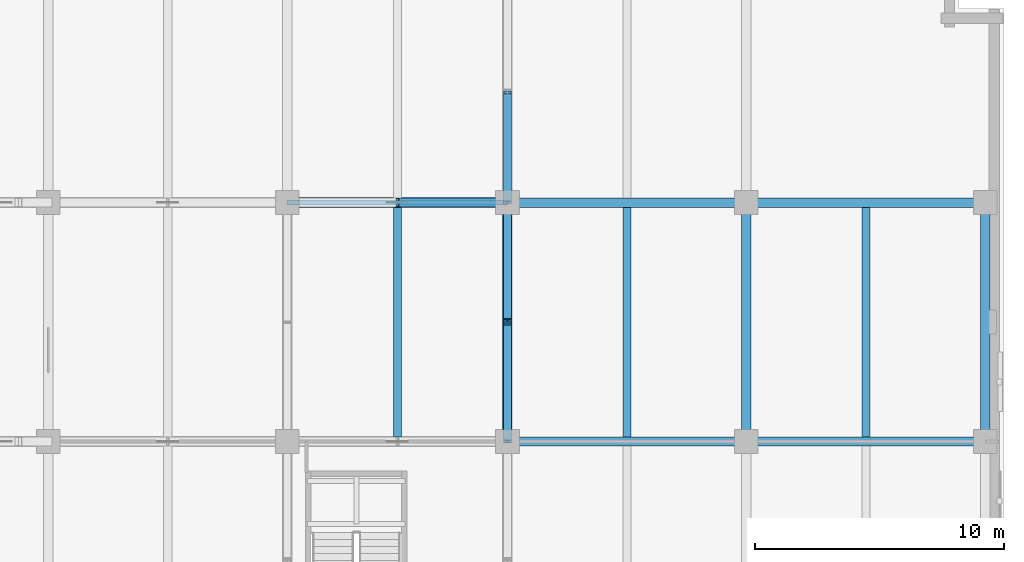
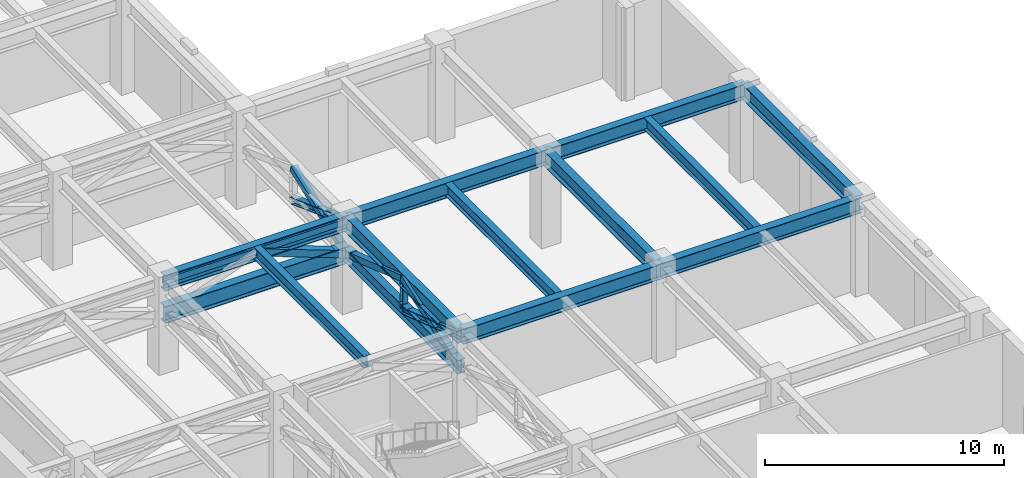
# One storey, part 5 of 21: 13 beams, 8 members.
"""IFC4 building model written with IfcOpenShell, lengths in metres."""

from ifc_helpers import new_model, si_unit, direction, frame, origin, origin_2d, place, context, subcontext, project, spatial, hollow_rectangle, i_section, extrude, material, material_profile, profile_set, type_object, element, save


model = new_model("IFC4")

# Units and contexts
model_context = context("Model", 3, precision=1e-05, world=origin(), true_north=direction((0.0, 1.0)))
body_context = subcontext(model_context, "Body", "Model", "MODEL_VIEW")
ifc_project = project(units=[si_unit("LENGTHUNIT", "METRE"), si_unit("AREAUNIT", "SQUARE_METRE"), si_unit("VOLUMEUNIT", "CUBIC_METRE"), si_unit("PLANEANGLEUNIT", "RADIAN"), si_unit("MASSUNIT", "GRAM", prefix="KILO")], contexts=[model_context])

# Site, building, storey
site_placement = place(None, origin())
site = spatial("IfcSite", under=ifc_project, at=site_placement, CompositionType="ELEMENT")
building_placement = place(site_placement, origin())
building = spatial("IfcBuilding", under=site, at=building_placement, Name="Norrvale University Quadrangle", CompositionType="ELEMENT")
storey_placement = place(building_placement, frame((0.0, 0.0, 194.0)))
storey = spatial("IfcBuildingStorey", under=building, at=storey_placement, Name="L49", CompositionType="ELEMENT", Elevation=194.0)

# Beams
ifc_material = material(Name="Steel 350W", Category="steel")
ifc_material_profile_1 = material_profile(ifc_material, i_section(OverallWidth=0.324951171875, OverallDepth=0.615966796875, WebThickness=0.013916015625, FlangeThickness=0.021484375, FilletRadius=0.01611328125, at=origin_2d()), Name="Steel 350W")
ifc_profile_set_1 = profile_set([ifc_material_profile_1], Name="Steel 350W")
beam_type_1 = type_object("IfcBeamType", Name="Beam Belt W610x174", PredefinedType="BEAM", material=ifc_profile_set_1)
for number, where, z_axis, x_axis, name in (
    (1, (33.22509765625, 19.390380859375, 4.431884765625), (0.0, 1.0, 0.0), (-1.0, 0.0, 0.0), "Beam Belt W610x174 BM-L49-J077"),
    (2, (42.449951171875, 19.390380859375, 4.431884765625), (0.0, 1.0, 0.0), (-1.0, 0.0, 0.0), "Beam Belt W610x174 BM-L49-J083"),
    (3, (52.050048828125, 19.390380859375, 4.431884765625), (0.0, 1.0, 0.0), (-1.0, 0.0, 0.0), "Beam Belt W610x174 BM-L49-J086"),
):
    element("IfcBeam", number, at=place(storey_placement, frame(where, z_axis=z_axis, x_axis=x_axis)), inside=storey, type_object=beam_type_1, Name=name, PredefinedType="BEAM", context=body_context, shape_type="SweptSolid", body=[
        extrude(i_section(OverallWidth=0.324951171875, OverallDepth=0.615966796875, WebThickness=0.013916015625, FlangeThickness=0.021484375, FilletRadius=0.01611328125, at=origin_2d()), origin(), (0.0, 0.0, 1.0), 9.21923828125),
    ])
ifc_material_profile_2 = material_profile(ifc_material, i_section(OverallWidth=0.35498046875, OverallDepth=0.695068359375, WebThickness=0.015380859375, FlangeThickness=0.02490234375, FilletRadius=0.01806640625, at=origin_2d()), Name="Steel 350W")
ifc_profile_set_2 = profile_set([ifc_material_profile_2], Name="Steel 350W")
beam_type_2 = type_object("IfcBeamType", Name="Beam Belt W690x217", PredefinedType="BEAM", material=ifc_profile_set_2)
beam_1_placement = place(storey_placement, frame((37.64990234375, 19.199951171875, 2.75), z_axis=(0.0, 1.0, 0.0), x_axis=(-1.0, 0.0, 0.0)))
element("IfcBeam", 4, at=beam_1_placement, inside=storey, type_object=beam_type_2, Name="Belt Truss Chord L49-02", PredefinedType="BEAM", context=body_context, shape_type="SweptSolid", body=[
    extrude(i_section(OverallWidth=0.35498046875, OverallDepth=0.695068359375, WebThickness=0.015380859375, FlangeThickness=0.02490234375, FilletRadius=0.01806640625, at=origin_2d()), origin(), (0.0, 0.0, 1.0), 9.60009765625),
])
ifc_material_profile_3 = material_profile(ifc_material, i_section(OverallWidth=0.381103515625, OverallDepth=0.77294921875, WebThickness=0.0166015625, FlangeThickness=0.027587890625, FilletRadius=0.02001953125, at=origin_2d()), Name="Steel 350W")
ifc_profile_set_3 = profile_set([ifc_material_profile_3], Name="Steel 350W")
beam_type_3 = type_object("IfcBeamType", Name="Beam Outrig W760x257", PredefinedType="BEAM", material=ifc_profile_set_3)
for number, where, z_axis, x_axis, name in (
    (5, (37.64990234375, 19.199951171875, 4.353515625), (1.0, 0.0, 0.0), (0.0, 1.0, 0.0), "Beam Outrig W760x257 BM-L49-GX011"),
    (6, (47.25, 19.199951171875, 4.353515625), (1.0, 0.0, 0.0), (0.0, 1.0, 0.0), "Beam Outrig W760x257 BM-L49-GX012"),
):
    element("IfcBeam", number, at=place(storey_placement, frame(where, z_axis=z_axis, x_axis=x_axis)), inside=storey, type_object=beam_type_3, Name=name, PredefinedType="BEAM", context=body_context, shape_type="SweptSolid", body=[
        extrude(i_section(OverallWidth=0.381103515625, OverallDepth=0.77294921875, WebThickness=0.0166015625, FlangeThickness=0.027587890625, FilletRadius=0.02001953125, at=origin_2d()), origin(), (0.0, 0.0, 1.0), 9.60009765625),
    ])
beam_2_placement = place(storey_placement, frame((28.800048828125, 28.800048828125, 4.353515625), z_axis=(1.0, 0.0, 0.0), x_axis=(0.0, 1.0, 0.0)))
element("IfcBeam", 7, at=beam_2_placement, inside=storey, type_object=beam_type_3, Name="Beam Outrig W760x257 BM-L49-GX014", PredefinedType="BEAM", context=body_context, shape_type="SweptSolid", body=[
    extrude(i_section(OverallWidth=0.381103515625, OverallDepth=0.77294921875, WebThickness=0.0166015625, FlangeThickness=0.027587890625, FilletRadius=0.02001953125, at=origin_2d()), origin(), (0.0, 0.0, 1.0), 8.849853515625),
])
for number, where, z_axis, x_axis, name in (
    (8, (37.64990234375, 28.800048828125, 4.353515625), (1.0, 0.0, 0.0), (0.0, 1.0, 0.0), "Beam Outrig W760x257 BM-L49-GX015"),
    (9, (47.25, 28.800048828125, 4.353515625), (1.0, 0.0, 0.0), (0.0, 1.0, 0.0), "Beam Outrig W760x257 BM-L49-GX016"),
    (10, (37.64990234375, 19.199951171875, 4.353515625), (0.0, 1.0, 0.0), (-1.0, 0.0, 0.0), "Beam Outrig W760x257 BM-L49-GY048"),
    (11, (47.25, 19.199951171875, 4.353515625), (0.0, 1.0, 0.0), (-1.0, 0.0, 0.0), "Beam Outrig W760x257 BM-L49-GY054"),
    (12, (56.85009765625, 19.199951171875, 4.353515625), (0.0, 1.0, 0.0), (-1.0, 0.0, 0.0), "Beam Outrig W760x257 BM-L49-GY057"),
):
    element("IfcBeam", number, at=place(storey_placement, frame(where, z_axis=z_axis, x_axis=x_axis)), inside=storey, type_object=beam_type_3, Name=name, PredefinedType="BEAM", context=body_context, shape_type="SweptSolid", body=[
        extrude(i_section(OverallWidth=0.381103515625, OverallDepth=0.77294921875, WebThickness=0.0166015625, FlangeThickness=0.027587890625, FilletRadius=0.02001953125, at=origin_2d()), origin(), (0.0, 0.0, 1.0), 9.60009765625),
    ])
ifc_material_profile_4 = material_profile(ifc_material, i_section(OverallWidth=0.39990234375, OverallDepth=0.85498046875, WebThickness=0.018310546875, FlangeThickness=0.029296875, FilletRadius=0.02197265625, at=origin_2d()), Name="Steel 350W")
ifc_profile_set_4 = profile_set([ifc_material_profile_4], Name="Steel 350W")
beam_type_4 = type_object("IfcBeamType", Name="Beam Outrig W840x299", PredefinedType="BEAM", material=ifc_profile_set_4)
beam_3_placement = place(storey_placement, frame((28.800048828125, 28.800048828125, 2.75), z_axis=(1.0, 0.0, 0.0), x_axis=(0.0, 1.0, 0.0)))
element("IfcBeam", 13, at=beam_3_placement, inside=storey, type_object=beam_type_4, Name="Outrigger Bottom Chord L49-3.3", PredefinedType="BEAM", context=body_context, shape_type="SweptSolid", body=[
    extrude(i_section(OverallWidth=0.39990234375, OverallDepth=0.85498046875, WebThickness=0.018310546875, FlangeThickness=0.029296875, FilletRadius=0.02197265625, at=origin_2d()), origin(), (0.0, 0.0, 1.0), 8.849853515625),
])

# Members
ifc_material_profile_5 = material_profile(ifc_material, hollow_rectangle(XDim=0.304931640625, YDim=0.304931640625, WallThickness=0.012939453125, at=origin_2d()), Name="Steel 350W")
ifc_profile_set_5 = profile_set([ifc_material_profile_5], Name="Steel 350W")
member_type_1 = type_object("IfcMemberType", Name="Member Belt Diag HSS305", PredefinedType="BRACE", material=ifc_profile_set_5)
for number, where, z_axis, x_axis, name in (
    (14, (37.64990234375, 19.199951171875, 2.75), (0.0, 0.946298508087, 0.32329419047), (-1.0, 0.0, 0.0), "Belt Truss Brace L49-02A"),
    (15, (37.64990234375, 28.800048828125, 2.75), (0.0, -0.946298508087, 0.32329419047), (1.0, 0.0, 0.0), "Belt Truss Brace L49-02B"),
):
    element("IfcMember", number, at=place(storey_placement, frame(where, z_axis=z_axis, x_axis=x_axis)), inside=storey, type_object=member_type_1, Name=name, PredefinedType="BRACE", context=body_context, shape_type="SweptSolid", body=[
        extrude(hollow_rectangle(XDim=0.304931640625, YDim=0.304931640625, WallThickness=0.012939453125, at=origin_2d()), origin(), (0.0, 0.0, 1.0), 5.072509765625),
    ])
member_1_placement = place(storey_placement, frame((37.64990234375, 28.800048828125, 2.75), z_axis=(0.0, 0.937680720811, 0.347498008369), x_axis=(-1.0, 0.0, 0.0)))
element("IfcMember", 16, at=member_1_placement, inside=storey, type_object=member_type_1, Name="Belt Truss Brace L49-03A", PredefinedType="BRACE", context=body_context, shape_type="SweptSolid", body=[
    extrude(hollow_rectangle(XDim=0.304931640625, YDim=0.304931640625, WallThickness=0.012939453125, at=origin_2d()), origin(), (0.0, 0.0, 1.0), 4.71923828125),
])
ifc_material_profile_6 = material_profile(ifc_material, hollow_rectangle(XDim=0.202880859375, YDim=0.304931640625, WallThickness=0.012939453125, at=origin_2d()), Name="Steel 350W")
ifc_profile_set_6 = profile_set([ifc_material_profile_6], Name="Steel 350W")
member_type_2 = type_object("IfcMemberType", Name="Member Chord HSS305x203", PredefinedType="CHORD", material=ifc_profile_set_6)
member_2_placement = place(storey_placement, frame((28.800048828125, 28.800048828125, 4.389892578125), z_axis=(1.0, 0.0, 0.0), x_axis=(0.0, 1.0, 0.0)))
element("IfcMember", 17, at=member_2_placement, inside=storey, type_object=member_type_2, Name="Outrigger Top Chord L49-3.3", PredefinedType="CHORD", context=body_context, shape_type="SweptSolid", body=[
    extrude(hollow_rectangle(XDim=0.202880859375, YDim=0.304931640625, WallThickness=0.012939453125, at=origin_2d()), origin(), (0.0, 0.0, 1.0), 8.849853515625),
])
ifc_material_profile_7 = material_profile(ifc_material, hollow_rectangle(XDim=0.35595703125, YDim=0.35595703125, WallThickness=0.01611328125, at=origin_2d()), Name="Steel 350W")
ifc_profile_set_7 = profile_set([ifc_material_profile_7], Name="Steel 350W")
member_type_3 = type_object("IfcMemberType", Name="Member Outrig Diag HSS356", PredefinedType="BRACE", material=ifc_profile_set_7)
member_3_placement = place(storey_placement, frame((37.64990234375, 28.800048828125, 2.75), z_axis=(-0.937674473211, 0.0, 0.347514866285), x_axis=(0.0, -1.0, 0.0)))
element("IfcMember", 18, at=member_3_placement, inside=storey, type_object=member_type_3, Name="Outrigger Truss Diagonal L49-3.3B", PredefinedType="BRACE", context=body_context, shape_type="SweptSolid", body=[
    extrude(hollow_rectangle(XDim=0.35595703125, YDim=0.35595703125, WallThickness=0.01611328125, at=origin_2d()), origin(), (0.0, 0.0, 1.0), 4.718994140625),
])
ifc_material_profile_8 = material_profile(ifc_material, i_section(OverallWidth=0.25390625, OverallDepth=0.2529296875, WebThickness=0.008544921875, FlangeThickness=0.01416015625, FilletRadius=0.011962890625, at=origin_2d()), Name="Steel 350W")
ifc_profile_set_8 = profile_set([ifc_material_profile_8], Name="Steel 350W")
member_type_4 = type_object("IfcMemberType", Name="Member Post W250x73", PredefinedType="POST", material=ifc_profile_set_8)
member_4_placement = place(storey_placement, frame((37.64990234375, 24.0, 2.75), z_axis=(0.0, 0.0, 1.0), x_axis=(1.0, 0.0, 0.0)))
element("IfcMember", 19, at=member_4_placement, inside=storey, type_object=member_type_4, Name="Belt Truss Post L49-02", PredefinedType="POST", context=body_context, shape_type="SweptSolid", body=[
    extrude(i_section(OverallWidth=0.25390625, OverallDepth=0.2529296875, WebThickness=0.008544921875, FlangeThickness=0.01416015625, FilletRadius=0.011962890625, at=origin_2d()), origin(), (0.0, 0.0, 1.0), 1.639892578125),
])
ifc_material_profile_9 = material_profile(ifc_material, i_section(OverallWidth=0.30908203125, OverallDepth=0.322998046875, WebThickness=0.01318359375, FlangeThickness=0.02294921875, FilletRadius=0.014892578125, at=origin_2d()), Name="Steel 350W")
ifc_profile_set_9 = profile_set([ifc_material_profile_9], Name="Steel 350W")
member_type_5 = type_object("IfcMemberType", Name="Member Tie W310x143", PredefinedType="BRACE", material=ifc_profile_set_9)
member_5_placement = place(storey_placement, frame((37.64990234375, 19.199951171875, 4.389892578125), z_axis=(0.0, 0.946298508087, -0.32329419047), x_axis=(-1.0, 0.0, 0.0)))
element("IfcMember", 20, at=member_5_placement, inside=storey, type_object=member_type_5, Name="Belt Truss Tie Brace L49-02", PredefinedType="BRACE", context=body_context, shape_type="SweptSolid", body=[
    extrude(i_section(OverallWidth=0.30908203125, OverallDepth=0.322998046875, WebThickness=0.01318359375, FlangeThickness=0.02294921875, FilletRadius=0.014892578125, at=origin_2d()), origin(), (0.0, 0.0, 1.0), 5.072509765625),
])
member_6_placement = place(storey_placement, frame((37.64990234375, 28.800048828125, 4.389892578125), z_axis=(0.0, 0.937680720811, -0.347498008369), x_axis=(-1.0, 0.0, 0.0)))
element("IfcMember", 21, at=member_6_placement, inside=storey, type_object=member_type_5, Name="Belt Truss Tie Brace L49-03", PredefinedType="BRACE", context=body_context, shape_type="SweptSolid", body=[
    extrude(i_section(OverallWidth=0.30908203125, OverallDepth=0.322998046875, WebThickness=0.01318359375, FlangeThickness=0.02294921875, FilletRadius=0.014892578125, at=origin_2d()), origin(), (0.0, 0.0, 1.0), 4.71923828125),
])

save(model, "model.ifc")
